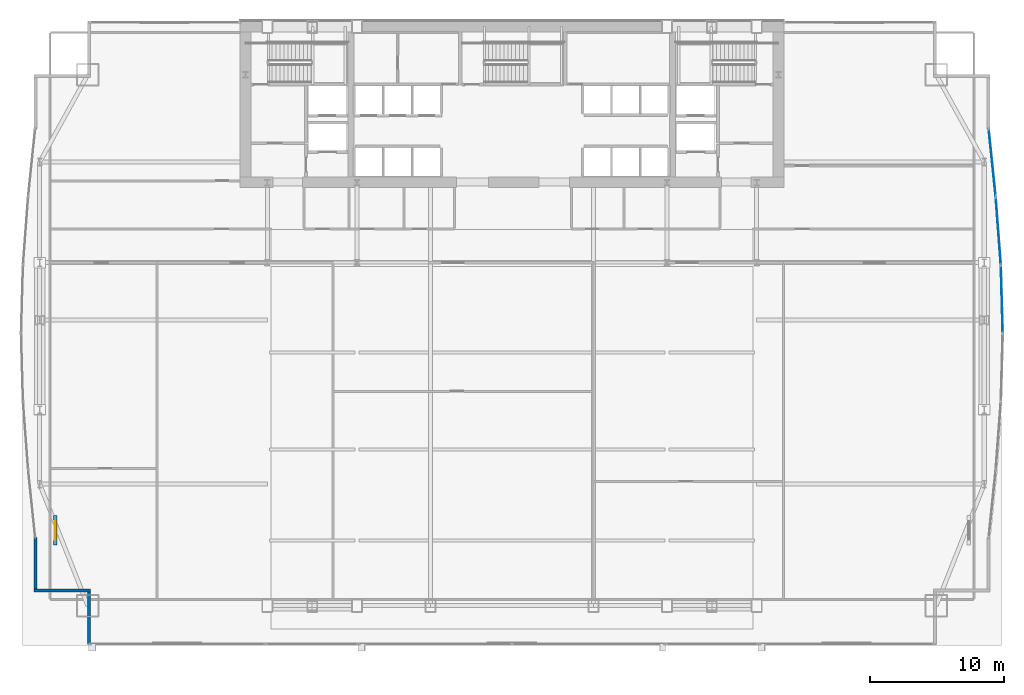
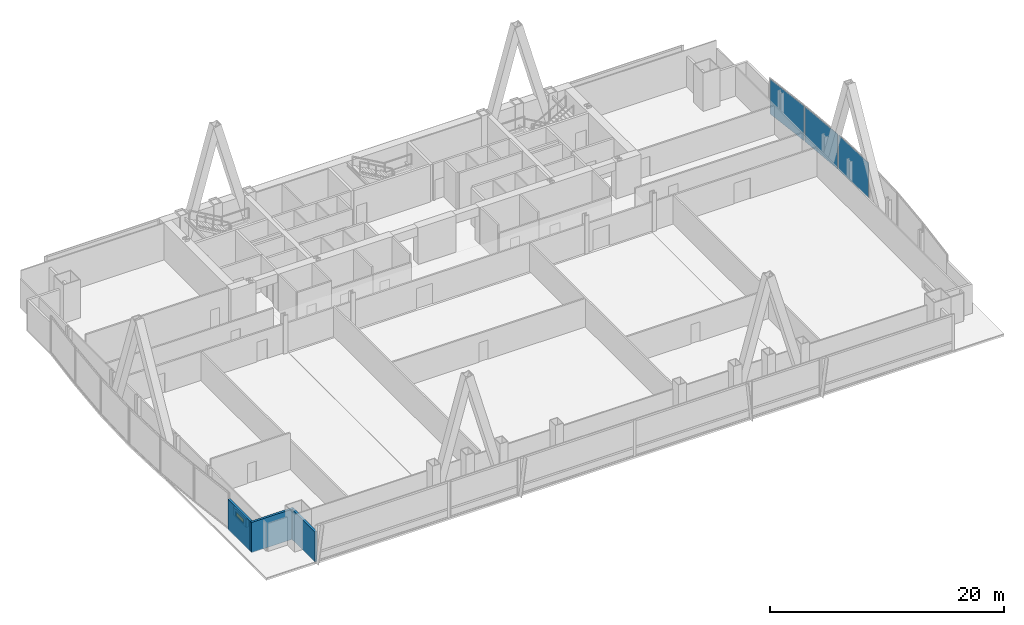
# One storey, part 27 of 35: 4 walls, 3 plates, 1 window, 1 opening, 3 elements without a shape of their own.
"""IFC4 building model written with IfcOpenShell, lengths in metres."""

from ifc_helpers import new_model, si_unit, direction, frame, frame_2d, origin, origin_2d, place, context, subcontext, project, spatial, rectangle, extrude, material, layer, layer_set, type_object, element, fill, aggregate, save


model = new_model("IFC4")

# Units and contexts
model_context = context("Model", 3, precision=1e-05, world=origin(), true_north=direction((0.0, 1.0)))
body_context = subcontext(model_context, "Body", "Model", "MODEL_VIEW")
ifc_project = project(units=[si_unit("LENGTHUNIT", "METRE"), si_unit("AREAUNIT", "SQUARE_METRE"), si_unit("VOLUMEUNIT", "CUBIC_METRE"), si_unit("PLANEANGLEUNIT", "RADIAN"), si_unit("MASSUNIT", "GRAM", prefix="KILO")], contexts=[model_context])

# Site, building, storey
site_placement = place(None, origin())
site = spatial("IfcSite", under=ifc_project, at=site_placement, CompositionType="ELEMENT")
building_placement = place(site_placement, origin())
building = spatial("IfcBuilding", under=site, at=building_placement, Name="Khoronbel Lancet Exchange", CompositionType="ELEMENT")
storey_placement = place(building_placement, frame((0.0, 0.0, 25.800048828125)))
storey = spatial("IfcBuildingStorey", under=building, at=storey_placement, Name="L05", CompositionType="ELEMENT", Elevation=25.800048828125)

# Curtain wall, plate
ifc_material_1 = material(Name="Low-E Solar Control Insulating Glass", Category="glass")
curtain_wall_type = type_object("IfcCurtainWallType", Name="CW-4", PredefinedType="NOTDEFINED", material=ifc_material_1)
curtain_wall_1_placement = place(storey_placement, origin())
curtain_wall_1 = element("IfcCurtainWall", 1, at=curtain_wall_1_placement, inside=storey, type_object=curtain_wall_type, Name="Unitised curtain wall CW-L05-E18", PredefinedType="NOTDEFINED")
ifc_material_2 = material(Name="Bronze-Anodised Aluminium 6063-T6", Category="aluminium")
ifc_layer_1 = layer(ifc_material_2, 0.050048828125, Name="Bronze-Anodised Aluminium 6063-T6")
ifc_layer_set_1 = layer_set([ifc_layer_1], Name="Bronze-Anodised Aluminium 6063-T6")
plate_type_1 = type_object("IfcPlateType", Name="PLT-CSP1", PredefinedType="SHEET", material=ifc_layer_set_1)
plate_1_placement = place(storey_placement, frame((72.67724609375, 38.068603515625, 0.0849609375), z_axis=(0.0, 0.0, 1.0), x_axis=(0.075395030141, -0.997153744129, 0.0)))
plate_1 = element("IfcPlate", 2, at=plate_1_placement, type_object=plate_type_1, Name="CW4 panel 1.1", PredefinedType="CURTAIN_PANEL", context=body_context, shape_type="SweptSolid", body=[
    extrude(rectangle(XDim=4.944580078125, YDim=0.0380859375, at=origin_2d()), origin(), (0.0, 0.0, 1.0), 3.64990234375),
])
aggregate(curtain_wall_1, [plate_1])

curtain_wall_2_placement = place(storey_placement, origin())
curtain_wall_2 = element("IfcCurtainWall", 3, at=curtain_wall_2_placement, inside=storey, type_object=curtain_wall_type, Name="Unitised curtain wall CW-L05-E19", PredefinedType="NOTDEFINED")
plate_2_placement = place(storey_placement, frame((72.939697265625, 32.9892578125, 0.0849609375), z_axis=(0.0, 0.0, 1.0), x_axis=(0.027673647157, -0.999617011286, 0.0)))
plate_2 = element("IfcPlate", 4, at=plate_2_placement, type_object=plate_type_1, Name="CW4 panel 1.1", PredefinedType="CURTAIN_PANEL", context=body_context, shape_type="SweptSolid", body=[
    extrude(rectangle(XDim=4.9306640625, YDim=0.0380859375, at=origin_2d()), origin(), (0.0, 0.0, 1.0), 3.64990234375),
])
aggregate(curtain_wall_2, [plate_2])

curtain_wall_3_placement = place(storey_placement, origin())
curtain_wall_3 = element("IfcCurtainWall", 5, at=curtain_wall_3_placement, inside=storey, type_object=curtain_wall_type, Name="Unitised curtain wall CW-L05-E17", PredefinedType="NOTDEFINED")
ifc_material_3 = material(Name="Ceramic-Fritted Laminated Insulating Glass", Category="glass")
ifc_layer_2 = layer(ifc_material_3, 0.0419921875, Name="Ceramic-Fritted Laminated Insulating Glass")
ifc_layer_set_2 = layer_set([ifc_layer_2], Name="Ceramic-Fritted Laminated Insulating Glass")
plate_type_2 = type_object("IfcPlateType", Name="PLT-CWP2", PredefinedType="CURTAIN_PANEL", material=ifc_layer_set_2)
plate_3_placement = place(storey_placement, frame((72.22265625, 43.152099609375, 0.0849609375), z_axis=(0.0, 0.0, 1.0), x_axis=(0.102723015403, -0.994709998998, 0.0)))
plate_3 = element("IfcPlate", 6, at=plate_3_placement, type_object=plate_type_2, Name="CW4 panel 1.1", PredefinedType="CURTAIN_PANEL", context=body_context, shape_type="SweptSolid", body=[
    extrude(rectangle(XDim=4.9638671875, YDim=0.0380859375, at=origin_2d()), origin(), (0.0, 0.0, 1.0), 3.64990234375),
])
aggregate(curtain_wall_3, [plate_3])

# Walls
ifc_material_4 = material(Name="Precast concrete C40/50", Category="concrete")
ifc_layer_3 = layer(ifc_material_4, 0.25, Name="Precast concrete C40/50")
ifc_layer_set_3 = layer_set([ifc_layer_3], Name="Precast concrete C40/50")
wall_type_1 = type_object("IfcWallType", Name="WL-EXT250", PredefinedType="SOLIDWALL", material=ifc_layer_set_3)
wall_1_placement = place(storey_placement, frame((4.93994140625, 7.27001953125, 0.0), z_axis=(0.0, 0.0, 1.0), x_axis=(0.0, 1.0, 0.0)))
element("IfcWall", 7, at=wall_1_placement, inside=storey, type_object=wall_type_1, Name="Level L05 notched-corner limestone pier 01", PredefinedType="SOLIDWALL", context=body_context, shape_type="SweptSolid", body=[
    extrude(rectangle(XDim=3.909912109375, YDim=0.219970703125, at=frame_2d((1.955078125, 0.0))), origin(), (0.0, 0.0, 1.0), 3.159912109375),
])
wall_2_placement = place(storey_placement, frame((5.050048828125, 11.2900390625, 0.0), z_axis=(0.0, 0.0, 1.0), x_axis=(-1.0, 0.0, 0.0)))
element("IfcWall", 8, at=wall_2_placement, inside=storey, type_object=wall_type_1, Name="Level L05 notched-corner limestone pier 02", PredefinedType="SOLIDWALL", context=body_context, shape_type="SweptSolid", body=[
    extrude(rectangle(XDim=4.219970703125, YDim=0.219970703125, at=frame_2d((2.10986328125, 0.0))), origin(), (0.0, 0.0, 1.0), 3.159912109375),
])
wall_3_placement = place(storey_placement, frame((0.93994140625, 11.39990234375, 0.0), z_axis=(0.0, 0.0, 1.0), x_axis=(0.0, 1.0, 0.0)))
element("IfcWall", 9, at=wall_3_placement, inside=storey, type_object=wall_type_1, Name="Level L05 notched-corner limestone pier 03", PredefinedType="SOLIDWALL", context=body_context, shape_type="SweptSolid", body=[
    extrude(rectangle(XDim=3.82470703125, YDim=0.219970703125, at=frame_2d((1.912353515625, 0.0))), origin(), (0.0, 0.0, 1.0), 3.159912109375),
])

# Wall, opening, window
ifc_material_5 = material(Name="Concrete C40/50", Category="concrete")
ifc_layer_4 = layer(ifc_material_5, 0.25, Name="Concrete C40/50")
ifc_layer_set_4 = layer_set([ifc_layer_4], Name="Concrete C40/50")
wall_type_2 = type_object("IfcWallType", Name="WL-PAR250", PredefinedType="PARAPET", material=ifc_layer_set_4)
wall_4_placement = place(storey_placement, frame((2.4150390625, 14.658447265625, 0.0), z_axis=(0.0, 0.0, 1.0), x_axis=(0.0, 1.0, 0.0)))
wall_4 = element("IfcWall", 10, at=wall_4_placement, inside=storey, type_object=wall_type_2, Name="Level L05 setback roof slab 1 smoke-ventilation skylight lantern curb", PredefinedType="PARAPET", context=body_context, shape_type="SweptSolid", body=[
    extrude(rectangle(XDim=2.199951171875, YDim=0.25, at=frame_2d((1.10009765625, 0.0))), origin(), (0.0, 0.0, 1.0), 0.8798828125),
])
opening_placement = place(wall_4_placement, frame((0.39990234375, 0.0, 0.159912109375)))
opening = element("IfcOpeningElement", 11, at=opening_placement, cuts=wall_4, Name="Opening SK2", PredefinedType="OPENING", context=body_context, shape_type="SweptSolid", body=[
    extrude(rectangle(XDim=1.39990234375, YDim=0.5, at=frame_2d((0.699951171875, 0.25))), frame((0.0, 0.135009765625, 0.0), z_axis=(0.0, -1.0, 0.0), x_axis=(1.0, 0.0, 0.0)), (0.0, 0.0, 1.0), 0.27001953125),
])
window_type = type_object("IfcWindowType", Name="WIN-SK2", PartitioningType="SINGLE_PANEL", PredefinedType="SKYLIGHT", material=ifc_material_1)
window_placement = place(opening_placement, origin())
window = element("IfcWindow", 12, at=window_placement, inside=storey, type_object=window_type, Name="Level L05 setback roof slab 1 smoke-ventilation clerestory skylight", OverallHeight=0.5, OverallWidth=1.39990234375, PartitioningType="SINGLE_PANEL", PredefinedType="SKYLIGHT", context=body_context, shape_type="SweptSolid", body=[
    extrude(rectangle(XDim=1.39990234375, YDim=0.5, at=frame_2d((0.699951171875, 0.25))), frame((0.0, 0.030029296875, 0.0), z_axis=(0.0, -1.0, 0.0), x_axis=(1.0, 0.0, 0.0)), (0.0, 0.0, 1.0), 0.06005859375),
])
fill(opening, window)

save(model, "model.ifc")
